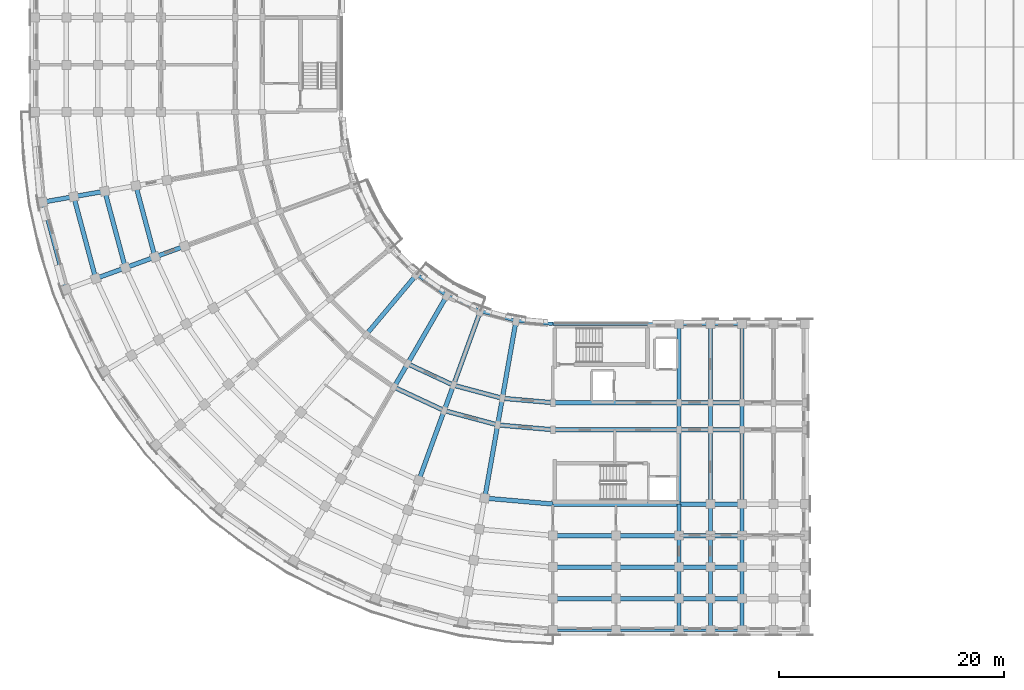
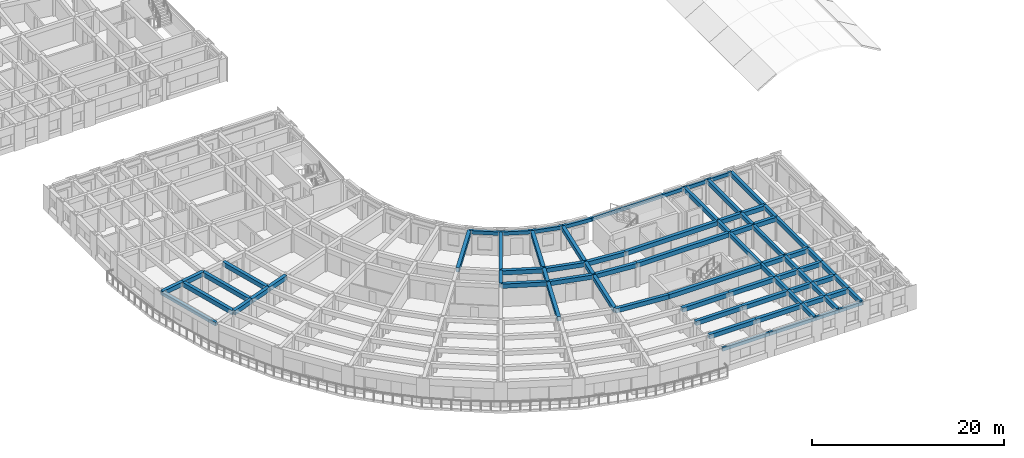
# One storey, part 4 of 54: 78 beams.
"""IFC4 building model written with IfcOpenShell, lengths in metres."""

from ifc_helpers import new_model, si_unit, direction, frame, origin, origin_2d, place, context, subcontext, project, spatial, rectangle, extrude, material, material_profile, profile_set, type_object, element, save


model = new_model("IFC4")

# Units and contexts
model_context = context("Model", 3, precision=1e-05, world=origin(), true_north=direction((0.0, 1.0)))
body_context = subcontext(model_context, "Body", "Model", "MODEL_VIEW")
ifc_project = project(units=[si_unit("LENGTHUNIT", "METRE"), si_unit("AREAUNIT", "SQUARE_METRE"), si_unit("VOLUMEUNIT", "CUBIC_METRE"), si_unit("PLANEANGLEUNIT", "RADIAN"), si_unit("MASSUNIT", "GRAM", prefix="KILO")], contexts=[model_context])

# Site, building, storey
site_placement = place(None, origin())
site = spatial("IfcSite", under=ifc_project, at=site_placement, CompositionType="ELEMENT")
building_placement = place(site_placement, origin())
building = spatial("IfcBuilding", under=site, at=building_placement, Name="Kiranvali Square Residences", CompositionType="ELEMENT")
storey_placement = place(building_placement, frame((0.0, 0.0, 15.0)))
storey = spatial("IfcBuildingStorey", under=building, at=storey_placement, Name="L04", CompositionType="ELEMENT", Elevation=15.0)

# Beams
ifc_material_1 = material(Name="Concrete M40 (40 MPa)", Category="concrete")
ifc_material_profile_1 = material_profile(ifc_material_1, rectangle(XDim=0.35009765625, YDim=0.550048828125, at=origin_2d()), Name="RC 350x550")
ifc_profile_set_1 = profile_set([ifc_material_profile_1], Name="Concrete M40 (40 MPa)")
beam_type_1 = type_object("IfcBeamType", Name="BM-M40-350x550", PredefinedType="BEAM", material=ifc_profile_set_1)
beam_1_placement = place(storey_placement, frame((59.39990234375, 29.39990234375, 2.655029296875), z_axis=(0.0, -1.0, 0.0), x_axis=(1.0, 0.0, 0.0)))
element("IfcBeam", 1, at=beam_1_placement, inside=storey, type_object=beam_type_1, Name="L04 beam BM-C-L04-A1T1-01", PredefinedType="BEAM", context=body_context, shape_type="SweptSolid", body=[
    extrude(rectangle(XDim=0.35009765625, YDim=0.550048828125, at=origin_2d()), origin(), (0.0, 0.0, 1.0), 7.0),
])
beam_2_placement = place(storey_placement, frame((59.39990234375, 22.39990234375, 2.655029296875), z_axis=(0.0, -1.0, 0.0), x_axis=(1.0, 0.0, 0.0)))
element("IfcBeam", 2, at=beam_2_placement, inside=storey, type_object=beam_type_1, Name="L04 beam BM-C-L04-A1T1-12", PredefinedType="BEAM", context=body_context, shape_type="SweptSolid", body=[
    extrude(rectangle(XDim=0.35009765625, YDim=0.550048828125, at=origin_2d()), origin(), (0.0, 0.0, 1.0), 2.39990234375),
])
beam_3_placement = place(storey_placement, frame((59.39990234375, 20.0, 2.655029296875), z_axis=(0.0, -1.0, 0.0), x_axis=(1.0, 0.0, 0.0)))
element("IfcBeam", 3, at=beam_3_placement, inside=storey, type_object=beam_type_1, Name="L04 beam BM-C-L04-A1T1-23", PredefinedType="BEAM", context=body_context, shape_type="SweptSolid", body=[
    extrude(rectangle(XDim=0.35009765625, YDim=0.550048828125, at=origin_2d()), origin(), (0.0, 0.0, 1.0), 6.60009765625),
])
beam_4_placement = place(storey_placement, frame((59.39990234375, 13.39990234375, 2.655029296875), z_axis=(0.0, -1.0, 0.0), x_axis=(1.0, 0.0, 0.0)))
element("IfcBeam", 4, at=beam_4_placement, inside=storey, type_object=beam_type_1, Name="L04 beam BM-C-L04-A1T1-34", PredefinedType="BEAM", context=body_context, shape_type="SweptSolid", body=[
    extrude(rectangle(XDim=0.35009765625, YDim=0.550048828125, at=origin_2d()), origin(), (0.0, 0.0, 1.0), 2.7998046875),
])
for number, where, z_axis, x_axis, name in (
    (5, (59.39990234375, 10.60009765625, 2.655029296875), (0.0, -1.0, 0.0), (1.0, 0.0, 0.0), "L04 beam BM-C-L04-A1T1-45"),
    (6, (59.39990234375, 7.800048828125, 2.655029296875), (0.0, -1.0, 0.0), (1.0, 0.0, 0.0), "L04 beam BM-C-L04-A1T1-56"),
    (7, (59.39990234375, 5.0, 2.655029296875), (0.0, -1.0, 0.0), (1.0, 0.0, 0.0), "L04 beam BM-C-L04-A1T1-67"),
):
    element("IfcBeam", number, at=place(storey_placement, frame(where, z_axis=z_axis, x_axis=x_axis)), inside=storey, type_object=beam_type_1, Name=name, PredefinedType="BEAM", context=body_context, shape_type="SweptSolid", body=[
        extrude(rectangle(XDim=0.35009765625, YDim=0.550048828125, at=origin_2d()), origin(), (0.0, 0.0, 1.0), 2.800048828125),
    ])
beam_5_placement = place(storey_placement, frame((62.199951171875, 29.39990234375, 2.655029296875), z_axis=(0.0, -1.0, 0.0), x_axis=(1.0, 0.0, 0.0)))
element("IfcBeam", 8, at=beam_5_placement, inside=storey, type_object=beam_type_1, Name="L04 beam BM-C-L04-A1T2-01", PredefinedType="BEAM", context=body_context, shape_type="SweptSolid", body=[
    extrude(rectangle(XDim=0.35009765625, YDim=0.550048828125, at=origin_2d()), origin(), (0.0, 0.0, 1.0), 7.0),
])
beam_6_placement = place(storey_placement, frame((62.199951171875, 22.39990234375, 2.655029296875), z_axis=(0.0, -1.0, 0.0), x_axis=(1.0, 0.0, 0.0)))
element("IfcBeam", 9, at=beam_6_placement, inside=storey, type_object=beam_type_1, Name="L04 beam BM-C-L04-A1T2-12", PredefinedType="BEAM", context=body_context, shape_type="SweptSolid", body=[
    extrude(rectangle(XDim=0.35009765625, YDim=0.550048828125, at=origin_2d()), origin(), (0.0, 0.0, 1.0), 2.39990234375),
])
beam_7_placement = place(storey_placement, frame((62.199951171875, 20.0, 2.655029296875), z_axis=(0.0, -1.0, 0.0), x_axis=(1.0, 0.0, 0.0)))
element("IfcBeam", 10, at=beam_7_placement, inside=storey, type_object=beam_type_1, Name="L04 beam BM-C-L04-A1T2-23", PredefinedType="BEAM", context=body_context, shape_type="SweptSolid", body=[
    extrude(rectangle(XDim=0.35009765625, YDim=0.550048828125, at=origin_2d()), origin(), (0.0, 0.0, 1.0), 6.60009765625),
])
beam_8_placement = place(storey_placement, frame((62.199951171875, 13.39990234375, 2.655029296875), z_axis=(0.0, -1.0, 0.0), x_axis=(1.0, 0.0, 0.0)))
element("IfcBeam", 11, at=beam_8_placement, inside=storey, type_object=beam_type_1, Name="L04 beam BM-C-L04-A1T2-34", PredefinedType="BEAM", context=body_context, shape_type="SweptSolid", body=[
    extrude(rectangle(XDim=0.35009765625, YDim=0.550048828125, at=origin_2d()), origin(), (0.0, 0.0, 1.0), 2.7998046875),
])
for number, where, z_axis, x_axis, name in (
    (12, (62.199951171875, 10.60009765625, 2.655029296875), (0.0, -1.0, 0.0), (1.0, 0.0, 0.0), "L04 beam BM-C-L04-A1T2-45"),
    (13, (62.199951171875, 7.800048828125, 2.655029296875), (0.0, -1.0, 0.0), (1.0, 0.0, 0.0), "L04 beam BM-C-L04-A1T2-56"),
    (14, (62.199951171875, 5.0, 2.655029296875), (0.0, -1.0, 0.0), (1.0, 0.0, 0.0), "L04 beam BM-C-L04-A1T2-67"),
):
    element("IfcBeam", number, at=place(storey_placement, frame(where, z_axis=z_axis, x_axis=x_axis)), inside=storey, type_object=beam_type_1, Name=name, PredefinedType="BEAM", context=body_context, shape_type="SweptSolid", body=[
        extrude(rectangle(XDim=0.35009765625, YDim=0.550048828125, at=origin_2d()), origin(), (0.0, 0.0, 1.0), 2.800048828125),
    ])
beam_9_placement = place(storey_placement, frame((65.0, 29.39990234375, 2.655029296875), z_axis=(0.0, -1.0, 0.0), x_axis=(1.0, 0.0, 0.0)))
element("IfcBeam", 15, at=beam_9_placement, inside=storey, type_object=beam_type_1, Name="L04 beam BM-C-L04-A1T3-01", PredefinedType="BEAM", context=body_context, shape_type="SweptSolid", body=[
    extrude(rectangle(XDim=0.35009765625, YDim=0.550048828125, at=origin_2d()), origin(), (0.0, 0.0, 1.0), 7.0),
])
beam_10_placement = place(storey_placement, frame((65.0, 22.39990234375, 2.655029296875), z_axis=(0.0, -1.0, 0.0), x_axis=(1.0, 0.0, 0.0)))
element("IfcBeam", 16, at=beam_10_placement, inside=storey, type_object=beam_type_1, Name="L04 beam BM-C-L04-A1T3-12", PredefinedType="BEAM", context=body_context, shape_type="SweptSolid", body=[
    extrude(rectangle(XDim=0.35009765625, YDim=0.550048828125, at=origin_2d()), origin(), (0.0, 0.0, 1.0), 2.39990234375),
])
beam_11_placement = place(storey_placement, frame((65.0, 20.0, 2.655029296875), z_axis=(0.0, -1.0, 0.0), x_axis=(1.0, 0.0, 0.0)))
element("IfcBeam", 17, at=beam_11_placement, inside=storey, type_object=beam_type_1, Name="L04 beam BM-C-L04-A1T3-23", PredefinedType="BEAM", context=body_context, shape_type="SweptSolid", body=[
    extrude(rectangle(XDim=0.35009765625, YDim=0.550048828125, at=origin_2d()), origin(), (0.0, 0.0, 1.0), 6.60009765625),
])
beam_12_placement = place(storey_placement, frame((65.0, 13.39990234375, 2.655029296875), z_axis=(0.0, -1.0, 0.0), x_axis=(1.0, 0.0, 0.0)))
element("IfcBeam", 18, at=beam_12_placement, inside=storey, type_object=beam_type_1, Name="L04 beam BM-C-L04-A1T3-34", PredefinedType="BEAM", context=body_context, shape_type="SweptSolid", body=[
    extrude(rectangle(XDim=0.35009765625, YDim=0.550048828125, at=origin_2d()), origin(), (0.0, 0.0, 1.0), 2.7998046875),
])
for number, where, z_axis, x_axis, name in (
    (19, (65.0, 10.60009765625, 2.655029296875), (0.0, -1.0, 0.0), (1.0, 0.0, 0.0), "L04 beam BM-C-L04-A1T3-45"),
    (20, (65.0, 7.800048828125, 2.655029296875), (0.0, -1.0, 0.0), (1.0, 0.0, 0.0), "L04 beam BM-C-L04-A1T3-56"),
    (21, (65.0, 5.0, 2.655029296875), (0.0, -1.0, 0.0), (1.0, 0.0, 0.0), "L04 beam BM-C-L04-A1T3-67"),
):
    element("IfcBeam", number, at=place(storey_placement, frame(where, z_axis=z_axis, x_axis=x_axis)), inside=storey, type_object=beam_type_1, Name=name, PredefinedType="BEAM", context=body_context, shape_type="SweptSolid", body=[
        extrude(rectangle(XDim=0.35009765625, YDim=0.550048828125, at=origin_2d()), origin(), (0.0, 0.0, 1.0), 2.800048828125),
    ])
ifc_material_2 = material(Name="Concrete M45 (45 MPa)", Category="concrete")
ifc_material_profile_2 = material_profile(ifc_material_2, rectangle(XDim=0.39990234375, YDim=0.550048828125, at=origin_2d()), Name="RC 400x550")
ifc_profile_set_2 = profile_set([ifc_material_profile_2], Name="Concrete M45 (45 MPa)")
beam_type_2 = type_object("IfcBeamType", Name="BM-M45-400x550", PredefinedType="BEAM", material=ifc_profile_set_2)
beam_13_placement = place(storey_placement, frame((48.199951171875, 22.39990234375, 2.655029296875), z_axis=(-0.996191949488, 0.087187153726, 0.0), x_axis=(-0.087187153726, -0.996191949488, 0.0)))
element("IfcBeam", 22, at=beam_13_placement, inside=storey, type_object=beam_type_2, Name="L04 beam BM-C-L04-C00-R1", PredefinedType="BEAM", context=body_context, shape_type="SweptSolid", body=[
    extrude(rectangle(XDim=0.39990234375, YDim=0.550048828125, at=origin_2d()), origin(), (0.0, 0.0, 1.0), 4.4970703125),
])
beam_14_placement = place(storey_placement, frame((48.199951171875, 20.0, 2.655029296875), z_axis=(-0.996193663584, 0.087167566415, 0.0), x_axis=(-0.087167566415, -0.996193663584, 0.0)))
element("IfcBeam", 23, at=beam_14_placement, inside=storey, type_object=beam_type_2, Name="L04 beam BM-C-L04-C00-R2", PredefinedType="BEAM", context=body_context, shape_type="SweptSolid", body=[
    extrude(rectangle(XDim=0.39990234375, YDim=0.550048828125, at=origin_2d()), origin(), (0.0, 0.0, 1.0), 4.91552734375),
])
beam_15_placement = place(storey_placement, frame((48.199951171875, 13.39990234375, 2.655029296875), z_axis=(-0.996193018494, 0.087174938512, 0.0), x_axis=(-0.087174938512, -0.996193018494, 0.0)))
element("IfcBeam", 24, at=beam_15_placement, inside=storey, type_object=beam_type_2, Name="L04 beam BM-C-L04-C00-R3", PredefinedType="BEAM", context=body_context, shape_type="SweptSolid", body=[
    extrude(rectangle(XDim=0.39990234375, YDim=0.550048828125, at=origin_2d()), origin(), (0.0, 0.0, 1.0), 6.066162109375),
])
beam_16_placement = place(storey_placement, frame((43.719970703125, 22.7919921875, 2.655029296875), z_axis=(-0.965934240054, 0.258787642463, 0.0), x_axis=(-0.258787642463, -0.965934240054, 0.0)))
element("IfcBeam", 25, at=beam_16_placement, inside=storey, type_object=beam_type_2, Name="L04 beam BM-C-L04-C01-R1", PredefinedType="BEAM", context=body_context, shape_type="SweptSolid", body=[
    extrude(rectangle(XDim=0.39990234375, YDim=0.550048828125, at=origin_2d()), origin(), (0.0, 0.0, 1.0), 4.497314453125),
])
beam_17_placement = place(storey_placement, frame((43.30322265625, 20.428466796875, 2.655029296875), z_axis=(-0.965930095386, 0.258803112091, 0.0), x_axis=(-0.258803112091, -0.965930095386, 0.0)))
element("IfcBeam", 26, at=beam_17_placement, inside=storey, type_object=beam_type_2, Name="L04 beam BM-C-L04-C01-R2", PredefinedType="BEAM", context=body_context, shape_type="SweptSolid", body=[
    extrude(rectangle(XDim=0.39990234375, YDim=0.550048828125, at=origin_2d()), origin(), (0.0, 0.0, 1.0), 4.915771484375),
])
beam_18_placement = place(storey_placement, frame((39.3759765625, 23.955810546875, 2.655029296875), z_axis=(-0.906307919131, 0.422617978463, 0.0), x_axis=(-0.422617978463, -0.906307919131, 0.0)))
element("IfcBeam", 27, at=beam_18_placement, inside=storey, type_object=beam_type_2, Name="L04 beam BM-C-L04-C02-R1", PredefinedType="BEAM", context=body_context, shape_type="SweptSolid", body=[
    extrude(rectangle(XDim=0.39990234375, YDim=0.550048828125, at=origin_2d()), origin(), (0.0, 0.0, 1.0), 4.497314453125),
])
beam_19_placement = place(storey_placement, frame((38.554931640625, 21.70068359375, 2.655029296875), z_axis=(-0.906302381024, 0.422629854778, 0.0), x_axis=(-0.422629854778, -0.906302381024, 0.0)))
element("IfcBeam", 28, at=beam_19_placement, inside=storey, type_object=beam_type_2, Name="L04 beam BM-C-L04-C02-R2", PredefinedType="BEAM", context=body_context, shape_type="SweptSolid", body=[
    extrude(rectangle(XDim=0.39990234375, YDim=0.550048828125, at=origin_2d()), origin(), (0.0, 0.0, 1.0), 4.915283203125),
])
beam_20_placement = place(storey_placement, frame((12.86767578125, 35.340087890625, 2.655029296875), z_axis=(-0.258847178297, 0.965918287583, 0.0), x_axis=(-0.965918287583, -0.258847178297, 0.0)))
element("IfcBeam", 29, at=beam_20_placement, inside=storey, type_object=beam_type_2, Name="L04 beam BM-C-L04-C07-R4", PredefinedType="BEAM", context=body_context, shape_type="SweptSolid", body=[
    extrude(rectangle(XDim=0.39990234375, YDim=0.550048828125, at=origin_2d()), origin(), (0.0, 0.0, 1.0), 6.55419921875),
])
beam_21_placement = place(storey_placement, frame((10.236328125, 34.38232421875, 2.655029296875), z_axis=(-0.258799624492, 0.965931029817, 0.0), x_axis=(-0.965931029817, -0.258799624492, 0.0)))
element("IfcBeam", 30, at=beam_21_placement, inside=storey, type_object=beam_type_2, Name="L04 beam BM-C-L04-C07-R5", PredefinedType="BEAM", context=body_context, shape_type="SweptSolid", body=[
    extrude(rectangle(XDim=0.39990234375, YDim=0.550048828125, at=origin_2d()), origin(), (0.0, 0.0, 1.0), 7.042236328125),
])
beam_22_placement = place(storey_placement, frame((7.605224609375, 33.4248046875, 2.655029296875), z_axis=(-0.258818733833, 0.965925909693, 0.0), x_axis=(-0.965925909693, -0.258818733833, 0.0)))
element("IfcBeam", 31, at=beam_22_placement, inside=storey, type_object=beam_type_2, Name="L04 beam BM-C-L04-C07-R6", PredefinedType="BEAM", context=body_context, shape_type="SweptSolid", body=[
    extrude(rectangle(XDim=0.39990234375, YDim=0.550048828125, at=origin_2d()), origin(), (0.0, 0.0, 1.0), 7.5302734375),
])
beam_23_placement = place(storey_placement, frame((44.935302734375, 29.685546875, 2.655029296875), z_axis=(-0.173622177865, -0.984812337125, 0.0), x_axis=(0.984812337125, -0.173622177865, 0.0)))
element("IfcBeam", 32, at=beam_23_placement, inside=storey, type_object=beam_type_2, Name="L04 beam BM-C-L04-RAD01-01", PredefinedType="BEAM", context=body_context, shape_type="SweptSolid", body=[
    extrude(rectangle(XDim=0.39990234375, YDim=0.550048828125, at=origin_2d()), origin(), (0.0, 0.0, 1.0), 6.999755859375),
])
beam_24_placement = place(storey_placement, frame((43.719970703125, 22.7919921875, 2.655029296875), z_axis=(-0.173646056486, -0.984808127031, 0.0), x_axis=(0.984808127031, -0.173646056486, 0.0)))
element("IfcBeam", 33, at=beam_24_placement, inside=storey, type_object=beam_type_2, Name="L04 beam BM-C-L04-RAD01-12", PredefinedType="BEAM", context=body_context, shape_type="SweptSolid", body=[
    extrude(rectangle(XDim=0.39990234375, YDim=0.550048828125, at=origin_2d()), origin(), (0.0, 0.0, 1.0), 2.39990234375),
])
beam_25_placement = place(storey_placement, frame((43.30322265625, 20.428466796875, 2.655029296875), z_axis=(-0.173671381499, -0.984803661269, 0.0), x_axis=(0.984803661269, -0.173671381499, 0.0)))
element("IfcBeam", 34, at=beam_25_placement, inside=storey, type_object=beam_type_2, Name="L04 beam BM-C-L04-RAD01-23", PredefinedType="BEAM", context=body_context, shape_type="SweptSolid", body=[
    extrude(rectangle(XDim=0.39990234375, YDim=0.550048828125, at=origin_2d()), origin(), (0.0, 0.0, 1.0), 6.60009765625),
])
beam_26_placement = place(storey_placement, frame((41.77001953125, 30.53369140625, 2.655029296875), z_axis=(-0.342006283793, -0.939697665127, 0.0), x_axis=(0.939697665127, -0.342006283793, 0.0)))
element("IfcBeam", 35, at=beam_26_placement, inside=storey, type_object=beam_type_2, Name="L04 beam BM-C-L04-RAD02-01", PredefinedType="BEAM", context=body_context, shape_type="SweptSolid", body=[
    extrude(rectangle(XDim=0.39990234375, YDim=0.550048828125, at=origin_2d()), origin(), (0.0, 0.0, 1.0), 7.0),
])
beam_27_placement = place(storey_placement, frame((39.3759765625, 23.955810546875, 2.655029296875), z_axis=(-0.342110593602, -0.939659694648, 0.0), x_axis=(0.939659694648, -0.342110593602, 0.0)))
element("IfcBeam", 36, at=beam_27_placement, inside=storey, type_object=beam_type_2, Name="L04 beam BM-C-L04-RAD02-12", PredefinedType="BEAM", context=body_context, shape_type="SweptSolid", body=[
    extrude(rectangle(XDim=0.39990234375, YDim=0.550048828125, at=origin_2d()), origin(), (0.0, 0.0, 1.0), 2.39990234375),
])
beam_28_placement = place(storey_placement, frame((38.554931640625, 21.70068359375, 2.655029296875), z_axis=(-0.342022238372, -0.939691858249, 0.0), x_axis=(0.939691858249, -0.342022238372, 0.0)))
element("IfcBeam", 37, at=beam_28_placement, inside=storey, type_object=beam_type_2, Name="L04 beam BM-C-L04-RAD02-23", PredefinedType="BEAM", context=body_context, shape_type="SweptSolid", body=[
    extrude(rectangle(XDim=0.39990234375, YDim=0.550048828125, at=origin_2d()), origin(), (0.0, 0.0, 1.0), 6.599853515625),
])
beam_29_placement = place(storey_placement, frame((38.800048828125, 31.918701171875, 2.655029296875), z_axis=(-0.499995173006, -0.866028190633, 0.0), x_axis=(0.866028190633, -0.499995173006, 0.0)))
element("IfcBeam", 38, at=beam_29_placement, inside=storey, type_object=beam_type_2, Name="L04 beam BM-C-L04-RAD03-01", PredefinedType="BEAM", context=body_context, shape_type="SweptSolid", body=[
    extrude(rectangle(XDim=0.39990234375, YDim=0.550048828125, at=origin_2d()), origin(), (0.0, 0.0, 1.0), 7.0),
])
beam_30_placement = place(storey_placement, frame((35.300048828125, 25.8564453125, 2.655029296875), z_axis=(-0.500001309137, -0.866024647952, 0.0), x_axis=(0.866024647952, -0.500001309137, 0.0)))
element("IfcBeam", 39, at=beam_30_placement, inside=storey, type_object=beam_type_2, Name="L04 beam BM-C-L04-RAD03-12", PredefinedType="BEAM", context=body_context, shape_type="SweptSolid", body=[
    extrude(rectangle(XDim=0.39990234375, YDim=0.550048828125, at=origin_2d()), origin(), (0.0, 0.0, 1.0), 2.39990234375),
])
beam_31_placement = place(storey_placement, frame((36.115478515625, 33.79833984375, 2.655029296875), z_axis=(-0.642787931032, -0.766044173478, 0.0), x_axis=(0.766044173478, -0.642787931032, 0.0)))
element("IfcBeam", 40, at=beam_31_placement, inside=storey, type_object=beam_type_2, Name="L04 beam BM-C-L04-RAD04-01", PredefinedType="BEAM", context=body_context, shape_type="SweptSolid", body=[
    extrude(rectangle(XDim=0.39990234375, YDim=0.550048828125, at=origin_2d()), origin(), (0.0, 0.0, 1.0), 7.0),
])
beam_32_placement = place(storey_placement, frame((15.498779296875, 36.297607421875, 2.655029296875), z_axis=(-0.93970683422, -0.341981089711, 0.0), x_axis=(0.341981089711, -0.93970683422, 0.0)))
element("IfcBeam", 41, at=beam_32_placement, inside=storey, type_object=beam_type_2, Name="L04 beam BM-C-L04-RAD07-34", PredefinedType="BEAM", context=body_context, shape_type="SweptSolid", body=[
    extrude(rectangle(XDim=0.39990234375, YDim=0.550048828125, at=origin_2d()), origin(), (0.0, 0.0, 1.0), 2.7998046875),
])
beam_33_placement = place(storey_placement, frame((12.86767578125, 35.340087890625, 2.655029296875), z_axis=(-0.939689011208, -0.342030060398, 0.0), x_axis=(0.342030060398, -0.939689011208, 0.0)))
element("IfcBeam", 42, at=beam_33_placement, inside=storey, type_object=beam_type_2, Name="L04 beam BM-C-L04-RAD07-45", PredefinedType="BEAM", context=body_context, shape_type="SweptSolid", body=[
    extrude(rectangle(XDim=0.39990234375, YDim=0.550048828125, at=origin_2d()), origin(), (0.0, 0.0, 1.0), 2.80029296875),
])
beam_34_placement = place(storey_placement, frame((10.236328125, 34.38232421875, 2.655029296875), z_axis=(-0.93970683422, -0.341981089711, 0.0), x_axis=(0.341981089711, -0.93970683422, 0.0)))
element("IfcBeam", 43, at=beam_34_placement, inside=storey, type_object=beam_type_2, Name="L04 beam BM-C-L04-RAD07-56", PredefinedType="BEAM", context=body_context, shape_type="SweptSolid", body=[
    extrude(rectangle(XDim=0.39990234375, YDim=0.550048828125, at=origin_2d()), origin(), (0.0, 0.0, 1.0), 2.7998046875),
])
beam_35_placement = place(storey_placement, frame((8.413818359375, 41.1845703125, 2.655029296875), z_axis=(-0.984816895441, -0.173596320392, 0.0), x_axis=(0.173596320392, -0.984816895441, 0.0)))
element("IfcBeam", 44, at=beam_35_placement, inside=storey, type_object=beam_type_2, Name="L04 beam BM-C-L04-RAD08-56", PredefinedType="BEAM", context=body_context, shape_type="SweptSolid", body=[
    extrude(rectangle(XDim=0.39990234375, YDim=0.550048828125, at=origin_2d()), origin(), (0.0, 0.0, 1.0), 2.800048828125),
])
beam_36_placement = place(storey_placement, frame((5.65625, 40.698486328125, 2.655029296875), z_axis=(-0.984799355489, -0.173695795656, 0.0), x_axis=(0.173695795656, -0.984799355489, 0.0)))
element("IfcBeam", 45, at=beam_36_placement, inside=storey, type_object=beam_type_2, Name="L04 beam BM-C-L04-RAD08-67", PredefinedType="BEAM", context=body_context, shape_type="SweptSolid", body=[
    extrude(rectangle(XDim=0.39990234375, YDim=0.550048828125, at=origin_2d()), origin(), (0.0, 0.0, 1.0), 2.7998046875),
])
beam_37_placement = place(storey_placement, frame((48.199951171875, 22.39990234375, 2.655029296875), z_axis=(1.0, 0.0, 0.0), x_axis=(0.0, 1.0, 0.0)))
element("IfcBeam", 46, at=beam_37_placement, inside=storey, type_object=beam_type_2, Name="L04 beam BM-C-L04-A1U0-R1", PredefinedType="BEAM", context=body_context, shape_type="SweptSolid", body=[
    extrude(rectangle(XDim=0.39990234375, YDim=0.550048828125, at=origin_2d()), origin(), (0.0, 0.0, 1.0), 11.199951171875),
])
for number, where, z_axis, x_axis, name in (
    (47, (59.39990234375, 22.39990234375, 2.655029296875), (1.0, 0.0, 0.0), (0.0, 1.0, 0.0), "L04 beam BM-C-L04-A1U1-R1"),
    (48, (62.199951171875, 22.39990234375, 2.655029296875), (1.0, 0.0, 0.0), (0.0, 1.0, 0.0), "L04 beam BM-C-L04-A1U2-R1"),
):
    element("IfcBeam", number, at=place(storey_placement, frame(where, z_axis=z_axis, x_axis=x_axis)), inside=storey, type_object=beam_type_2, Name=name, PredefinedType="BEAM", context=body_context, shape_type="SweptSolid", body=[
        extrude(rectangle(XDim=0.39990234375, YDim=0.550048828125, at=origin_2d()), origin(), (0.0, 0.0, 1.0), 2.800048828125),
    ])
beam_38_placement = place(storey_placement, frame((48.199951171875, 20.0, 2.655029296875), z_axis=(1.0, 0.0, 0.0), x_axis=(0.0, 1.0, 0.0)))
element("IfcBeam", 49, at=beam_38_placement, inside=storey, type_object=beam_type_2, Name="L04 beam BM-C-L04-A1U0-R2", PredefinedType="BEAM", context=body_context, shape_type="SweptSolid", body=[
    extrude(rectangle(XDim=0.39990234375, YDim=0.550048828125, at=origin_2d()), origin(), (0.0, 0.0, 1.0), 11.199951171875),
])
for number, where, z_axis, x_axis, name in (
    (50, (59.39990234375, 20.0, 2.655029296875), (1.0, 0.0, 0.0), (0.0, 1.0, 0.0), "L04 beam BM-C-L04-A1U1-R2"),
    (51, (62.199951171875, 20.0, 2.655029296875), (1.0, 0.0, 0.0), (0.0, 1.0, 0.0), "L04 beam BM-C-L04-A1U2-R2"),
):
    element("IfcBeam", number, at=place(storey_placement, frame(where, z_axis=z_axis, x_axis=x_axis)), inside=storey, type_object=beam_type_2, Name=name, PredefinedType="BEAM", context=body_context, shape_type="SweptSolid", body=[
        extrude(rectangle(XDim=0.39990234375, YDim=0.550048828125, at=origin_2d()), origin(), (0.0, 0.0, 1.0), 2.800048828125),
    ])
beam_39_placement = place(storey_placement, frame((48.199951171875, 13.39990234375, 2.655029296875), z_axis=(1.0, 0.0, 0.0), x_axis=(0.0, 1.0, 0.0)))
element("IfcBeam", 52, at=beam_39_placement, inside=storey, type_object=beam_type_2, Name="L04 beam BM-C-L04-A1U0-R3", PredefinedType="BEAM", context=body_context, shape_type="SweptSolid", body=[
    extrude(rectangle(XDim=0.39990234375, YDim=0.550048828125, at=origin_2d()), origin(), (0.0, 0.0, 1.0), 11.199951171875),
])
for number, where, z_axis, x_axis, name in (
    (53, (59.39990234375, 13.39990234375, 2.655029296875), (1.0, 0.0, 0.0), (0.0, 1.0, 0.0), "L04 beam BM-C-L04-A1U1-R3"),
    (54, (62.199951171875, 13.39990234375, 2.655029296875), (1.0, 0.0, 0.0), (0.0, 1.0, 0.0), "L04 beam BM-C-L04-A1U2-R3"),
):
    element("IfcBeam", number, at=place(storey_placement, frame(where, z_axis=z_axis, x_axis=x_axis)), inside=storey, type_object=beam_type_2, Name=name, PredefinedType="BEAM", context=body_context, shape_type="SweptSolid", body=[
        extrude(rectangle(XDim=0.39990234375, YDim=0.550048828125, at=origin_2d()), origin(), (0.0, 0.0, 1.0), 2.800048828125),
    ])
beam_40_placement = place(storey_placement, frame((48.199951171875, 10.60009765625, 2.655029296875), z_axis=(1.0, 0.0, 0.0), x_axis=(0.0, 1.0, 0.0)))
element("IfcBeam", 55, at=beam_40_placement, inside=storey, type_object=beam_type_2, Name="L04 beam BM-C-L04-A1U0-R4", PredefinedType="BEAM", context=body_context, shape_type="SweptSolid", body=[
    extrude(rectangle(XDim=0.39990234375, YDim=0.550048828125, at=origin_2d()), origin(), (0.0, 0.0, 1.0), 5.60009765625),
])
beam_41_placement = place(storey_placement, frame((53.800048828125, 10.60009765625, 2.655029296875), z_axis=(1.0, 0.0, 0.0), x_axis=(0.0, 1.0, 0.0)))
element("IfcBeam", 56, at=beam_41_placement, inside=storey, type_object=beam_type_2, Name="L04 beam BM-C-L04-A1U1-R4", PredefinedType="BEAM", context=body_context, shape_type="SweptSolid", body=[
    extrude(rectangle(XDim=0.39990234375, YDim=0.550048828125, at=origin_2d()), origin(), (0.0, 0.0, 1.0), 5.599853515625),
])
for number, where, z_axis, x_axis, name in (
    (57, (59.39990234375, 10.60009765625, 2.655029296875), (1.0, 0.0, 0.0), (0.0, 1.0, 0.0), "L04 beam BM-C-L04-A1U2-R4"),
    (58, (62.199951171875, 10.60009765625, 2.655029296875), (1.0, 0.0, 0.0), (0.0, 1.0, 0.0), "L04 beam BM-C-L04-A1U3-R4"),
):
    element("IfcBeam", number, at=place(storey_placement, frame(where, z_axis=z_axis, x_axis=x_axis)), inside=storey, type_object=beam_type_2, Name=name, PredefinedType="BEAM", context=body_context, shape_type="SweptSolid", body=[
        extrude(rectangle(XDim=0.39990234375, YDim=0.550048828125, at=origin_2d()), origin(), (0.0, 0.0, 1.0), 2.800048828125),
    ])
beam_42_placement = place(storey_placement, frame((48.199951171875, 7.800048828125, 2.655029296875), z_axis=(1.0, 0.0, 0.0), x_axis=(0.0, 1.0, 0.0)))
element("IfcBeam", 59, at=beam_42_placement, inside=storey, type_object=beam_type_2, Name="L04 beam BM-C-L04-A1U0-R5", PredefinedType="BEAM", context=body_context, shape_type="SweptSolid", body=[
    extrude(rectangle(XDim=0.39990234375, YDim=0.550048828125, at=origin_2d()), origin(), (0.0, 0.0, 1.0), 5.60009765625),
])
beam_43_placement = place(storey_placement, frame((53.800048828125, 7.800048828125, 2.655029296875), z_axis=(1.0, 0.0, 0.0), x_axis=(0.0, 1.0, 0.0)))
element("IfcBeam", 60, at=beam_43_placement, inside=storey, type_object=beam_type_2, Name="L04 beam BM-C-L04-A1U1-R5", PredefinedType="BEAM", context=body_context, shape_type="SweptSolid", body=[
    extrude(rectangle(XDim=0.39990234375, YDim=0.550048828125, at=origin_2d()), origin(), (0.0, 0.0, 1.0), 5.599853515625),
])
for number, where, z_axis, x_axis, name in (
    (61, (59.39990234375, 7.800048828125, 2.655029296875), (1.0, 0.0, 0.0), (0.0, 1.0, 0.0), "L04 beam BM-C-L04-A1U2-R5"),
    (62, (62.199951171875, 7.800048828125, 2.655029296875), (1.0, 0.0, 0.0), (0.0, 1.0, 0.0), "L04 beam BM-C-L04-A1U3-R5"),
):
    element("IfcBeam", number, at=place(storey_placement, frame(where, z_axis=z_axis, x_axis=x_axis)), inside=storey, type_object=beam_type_2, Name=name, PredefinedType="BEAM", context=body_context, shape_type="SweptSolid", body=[
        extrude(rectangle(XDim=0.39990234375, YDim=0.550048828125, at=origin_2d()), origin(), (0.0, 0.0, 1.0), 2.800048828125),
    ])
beam_44_placement = place(storey_placement, frame((48.199951171875, 5.0, 2.655029296875), z_axis=(1.0, 0.0, 0.0), x_axis=(0.0, 1.0, 0.0)))
element("IfcBeam", 63, at=beam_44_placement, inside=storey, type_object=beam_type_2, Name="L04 beam BM-C-L04-A1U0-R6", PredefinedType="BEAM", context=body_context, shape_type="SweptSolid", body=[
    extrude(rectangle(XDim=0.39990234375, YDim=0.550048828125, at=origin_2d()), origin(), (0.0, 0.0, 1.0), 5.60009765625),
])
beam_45_placement = place(storey_placement, frame((53.800048828125, 5.0, 2.655029296875), z_axis=(1.0, 0.0, 0.0), x_axis=(0.0, 1.0, 0.0)))
element("IfcBeam", 64, at=beam_45_placement, inside=storey, type_object=beam_type_2, Name="L04 beam BM-C-L04-A1U1-R6", PredefinedType="BEAM", context=body_context, shape_type="SweptSolid", body=[
    extrude(rectangle(XDim=0.39990234375, YDim=0.550048828125, at=origin_2d()), origin(), (0.0, 0.0, 1.0), 5.599853515625),
])
for number, where, z_axis, x_axis, name in (
    (65, (59.39990234375, 5.0, 2.655029296875), (1.0, 0.0, 0.0), (0.0, 1.0, 0.0), "L04 beam BM-C-L04-A1U2-R6"),
    (66, (62.199951171875, 5.0, 2.655029296875), (1.0, 0.0, 0.0), (0.0, 1.0, 0.0), "L04 beam BM-C-L04-A1U3-R6"),
):
    element("IfcBeam", number, at=place(storey_placement, frame(where, z_axis=z_axis, x_axis=x_axis)), inside=storey, type_object=beam_type_2, Name=name, PredefinedType="BEAM", context=body_context, shape_type="SweptSolid", body=[
        extrude(rectangle(XDim=0.39990234375, YDim=0.550048828125, at=origin_2d()), origin(), (0.0, 0.0, 1.0), 2.800048828125),
    ])
ifc_material_profile_3 = material_profile(ifc_material_1, rectangle(XDim=0.25, YDim=0.449951171875, at=origin_2d()), Name="RC 250x450")
ifc_profile_set_3 = profile_set([ifc_material_profile_3], Name="Concrete M40 (40 MPa)")
beam_type_3 = type_object("IfcBeamType", Name="SPN-M40-250x450", PredefinedType="SPANDREL", material=ifc_profile_set_3)
beam_46_placement = place(storey_placement, frame((48.199951171875, 29.39990234375, 2.705078125), z_axis=(1.0, 0.0, 0.0), x_axis=(0.0, 1.0, 0.0)))
element("IfcBeam", 67, at=beam_46_placement, inside=storey, type_object=beam_type_3, Name="L04 beam BM-C-L04-A1U0-R0", PredefinedType="SPANDREL", context=body_context, shape_type="SweptSolid", body=[
    extrude(rectangle(XDim=0.25, YDim=0.449951171875, at=origin_2d()), origin(), (0.0, 0.0, 1.0), 11.199951171875),
])
for number, where, z_axis, x_axis, name in (
    (68, (59.39990234375, 29.39990234375, 2.705078125), (1.0, 0.0, 0.0), (0.0, 1.0, 0.0), "L04 beam BM-C-L04-A1U1-R0"),
    (69, (62.199951171875, 29.39990234375, 2.705078125), (1.0, 0.0, 0.0), (0.0, 1.0, 0.0), "L04 beam BM-C-L04-A1U2-R0"),
):
    element("IfcBeam", number, at=place(storey_placement, frame(where, z_axis=z_axis, x_axis=x_axis)), inside=storey, type_object=beam_type_3, Name=name, PredefinedType="SPANDREL", context=body_context, shape_type="SweptSolid", body=[
        extrude(rectangle(XDim=0.25, YDim=0.449951171875, at=origin_2d()), origin(), (0.0, 0.0, 1.0), 2.800048828125),
    ])
beam_47_placement = place(storey_placement, frame((48.199951171875, 2.199951171875, 2.705078125), z_axis=(1.0, 0.0, 0.0), x_axis=(0.0, 1.0, 0.0)))
element("IfcBeam", 70, at=beam_47_placement, inside=storey, type_object=beam_type_3, Name="L04 beam BM-C-L04-A1U0-R7", PredefinedType="SPANDREL", context=body_context, shape_type="SweptSolid", body=[
    extrude(rectangle(XDim=0.25, YDim=0.449951171875, at=origin_2d()), origin(), (0.0, 0.0, 1.0), 5.60009765625),
])
beam_48_placement = place(storey_placement, frame((53.800048828125, 2.199951171875, 2.705078125), z_axis=(1.0, 0.0, 0.0), x_axis=(0.0, 1.0, 0.0)))
element("IfcBeam", 71, at=beam_48_placement, inside=storey, type_object=beam_type_3, Name="L04 beam BM-C-L04-A1U1-R7", PredefinedType="SPANDREL", context=body_context, shape_type="SweptSolid", body=[
    extrude(rectangle(XDim=0.25, YDim=0.449951171875, at=origin_2d()), origin(), (0.0, 0.0, 1.0), 5.599853515625),
])
for number, where, z_axis, x_axis, name in (
    (72, (59.39990234375, 2.199951171875, 2.705078125), (1.0, 0.0, 0.0), (0.0, 1.0, 0.0), "L04 beam BM-C-L04-A1U2-R7"),
    (73, (62.199951171875, 2.199951171875, 2.705078125), (1.0, 0.0, 0.0), (0.0, 1.0, 0.0), "L04 beam BM-C-L04-A1U3-R7"),
):
    element("IfcBeam", number, at=place(storey_placement, frame(where, z_axis=z_axis, x_axis=x_axis)), inside=storey, type_object=beam_type_3, Name=name, PredefinedType="SPANDREL", context=body_context, shape_type="SweptSolid", body=[
        extrude(rectangle(XDim=0.25, YDim=0.449951171875, at=origin_2d()), origin(), (0.0, 0.0, 1.0), 2.800048828125),
    ])
ifc_material_profile_4 = material_profile(ifc_material_1, rectangle(XDim=0.300048828125, YDim=0.449951171875, at=origin_2d()), Name="RC 300x450")
ifc_profile_set_4 = profile_set([ifc_material_profile_4], Name="Concrete M40 (40 MPa)")
beam_type_4 = type_object("IfcBeamType", Name="SPN-M40-300x450", PredefinedType="SPANDREL", material=ifc_profile_set_4)
beam_49_placement = place(storey_placement, frame((48.199951171875, 29.39990234375, 2.705078125), z_axis=(-0.996194040944, 0.087163253657, 0.0), x_axis=(-0.087163253657, -0.996194040944, 0.0)))
element("IfcBeam", 74, at=beam_49_placement, inside=storey, type_object=beam_type_4, Name="L04 beam BM-C-L04-C00-R0", PredefinedType="SPANDREL", context=body_context, shape_type="SweptSolid", body=[
    extrude(rectangle(XDim=0.300048828125, YDim=0.449951171875, at=origin_2d()), origin(), (0.0, 0.0, 1.0), 3.277099609375),
])
beam_50_placement = place(storey_placement, frame((44.935302734375, 29.685546875, 2.705078125), z_axis=(-0.965925105099, 0.258821736607, 0.0), x_axis=(-0.258821736607, -0.965925105099, 0.0)))
element("IfcBeam", 75, at=beam_50_placement, inside=storey, type_object=beam_type_4, Name="L04 beam BM-C-L04-C01-R0", PredefinedType="SPANDREL", context=body_context, shape_type="SweptSolid", body=[
    extrude(rectangle(XDim=0.300048828125, YDim=0.449951171875, at=origin_2d()), origin(), (0.0, 0.0, 1.0), 3.27685546875),
])
for number, where, z_axis, x_axis, name in (
    (76, (41.77001953125, 30.53369140625, 2.705078125), (-0.90629730464, 0.422640740585, 0.0), (-0.422640740585, -0.90629730464, 0.0), "L04 beam BM-C-L04-C02-R0"),
    (77, (38.800048828125, 31.918701171875, 2.705078125), (-0.81916891812, 0.573552337269, 0.0), (-0.573552337269, -0.81916891812, 0.0), "L04 beam BM-C-L04-C03-R0"),
):
    element("IfcBeam", number, at=place(storey_placement, frame(where, z_axis=z_axis, x_axis=x_axis)), inside=storey, type_object=beam_type_4, Name=name, PredefinedType="SPANDREL", context=body_context, shape_type="SweptSolid", body=[
        extrude(rectangle(XDim=0.300048828125, YDim=0.449951171875, at=origin_2d()), origin(), (0.0, 0.0, 1.0), 3.277099609375),
    ])
beam_51_placement = place(storey_placement, frame((4.97412109375, 32.467041015625, 2.705078125), z_axis=(-0.258807108475, 0.96592902462, 0.0), x_axis=(-0.96592902462, -0.258807108475, 0.0)))
element("IfcBeam", 78, at=beam_51_placement, inside=storey, type_object=beam_type_4, Name="L04 beam BM-C-L04-C07-R7", PredefinedType="SPANDREL", context=body_context, shape_type="SweptSolid", body=[
    extrude(rectangle(XDim=0.300048828125, YDim=0.449951171875, at=origin_2d()), origin(), (0.0, 0.0, 1.0), 8.018310546875),
])

save(model, "model.ifc")
